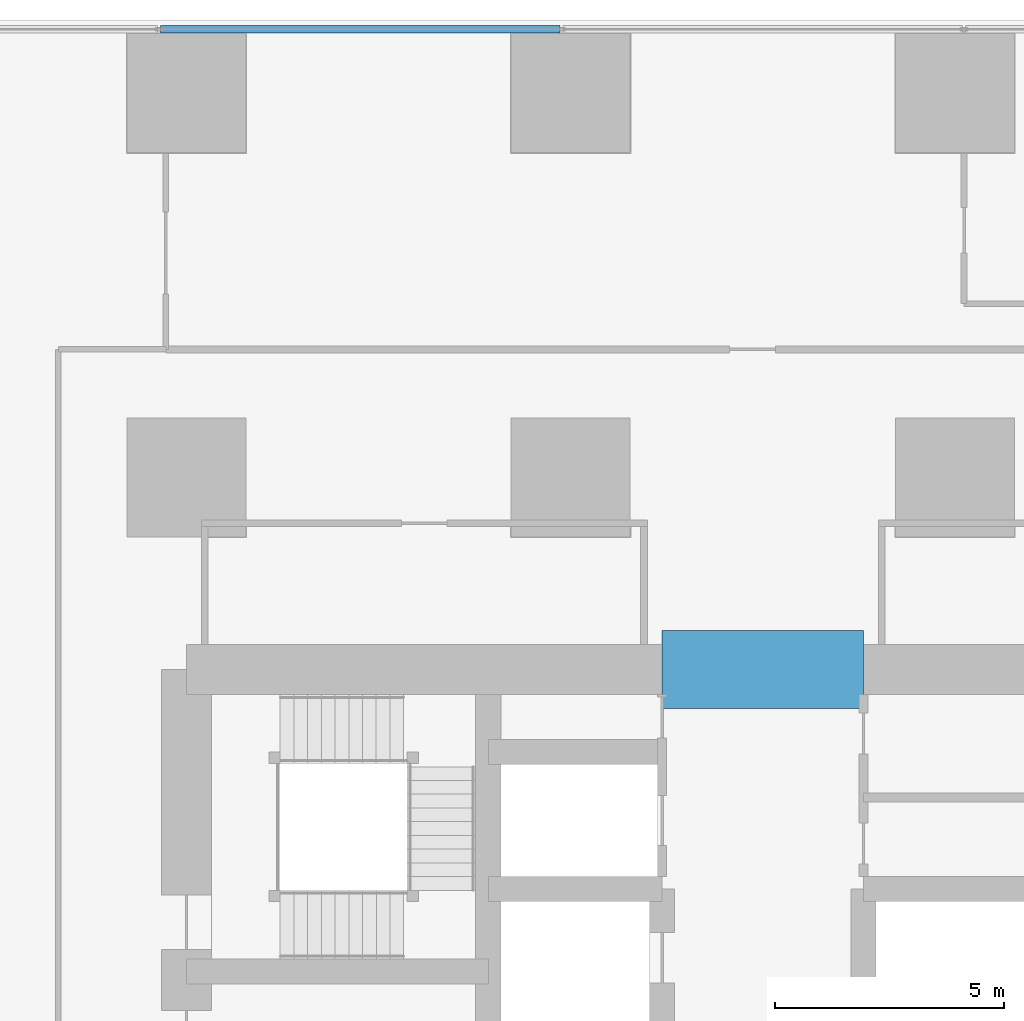
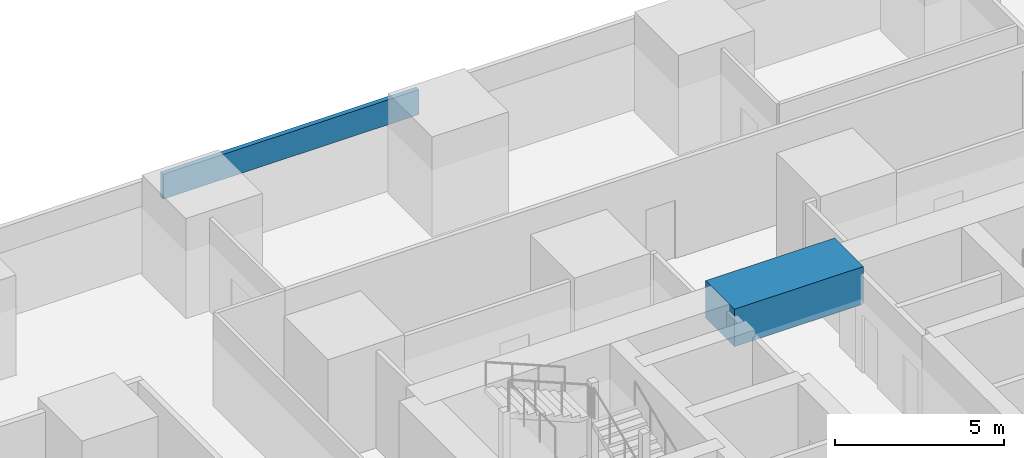
# One storey, part 10 of 35: 1 beam, 1 member, 1 element without a shape of its own.
"""IFC4 building model written with IfcOpenShell, lengths in metres."""

from ifc_helpers import new_model, si_unit, direction, frame, origin, origin_2d, place, context, subcontext, project, spatial, rectangle, hollow_rectangle, extrude, material, material_profile, profile_set, type_object, element, aggregate, save


model = new_model("IFC4")

# Units and contexts
model_context = context("Model", 3, precision=1e-05, world=origin(), true_north=direction((0.0, 1.0)))
body_context = subcontext(model_context, "Body", "Model", "MODEL_VIEW")
ifc_project = project(units=[si_unit("LENGTHUNIT", "METRE"), si_unit("AREAUNIT", "SQUARE_METRE"), si_unit("VOLUMEUNIT", "CUBIC_METRE"), si_unit("PLANEANGLEUNIT", "RADIAN"), si_unit("MASSUNIT", "GRAM", prefix="KILO")], contexts=[model_context])

# Site, building, storey
site_placement = place(None, origin())
site = spatial("IfcSite", under=ifc_project, at=site_placement, CompositionType="ELEMENT")
building_placement = place(site_placement, origin())
building = spatial("IfcBuilding", under=site, at=building_placement, Name="Rekha Terrace Tower", CompositionType="ELEMENT")
storey_placement = place(building_placement, frame((0.0, 0.0, 25.39990234375)))
storey = spatial("IfcBuildingStorey", under=building, at=storey_placement, Name="L05", CompositionType="ELEMENT", Elevation=25.39990234375)

# Curtain wall, member
ifc_material_1 = material(Name="Aluminium framing", Category="aluminium")
curtain_wall_type = type_object("IfcCurtainWallType", Name="CW3 north unitised glazing", PredefinedType="USERDEFINED", material=ifc_material_1)
curtain_wall_placement = place(storey_placement, origin())
curtain_wall = element("IfcCurtainWall", 1, at=curtain_wall_placement, inside=storey, type_object=curtain_wall_type, Name="CW3 unitised curtain wall", ObjectType="UNITISED CURTAIN WALL", PredefinedType="USERDEFINED")
ifc_material_2 = material(Name="Insulated aluminium spandrel box", Category="aluminium")
ifc_material_profile_1 = material_profile(ifc_material_2, hollow_rectangle(XDim=0.159912109375, YDim=0.89990234375, WallThickness=0.0029296875, at=origin_2d()), Name="AL SPANDREL BOX 160x900")
ifc_profile_set_1 = profile_set([ifc_material_profile_1], Name="Insulated aluminium spandrel box")
member_type = type_object("IfcMemberType", Name="CW3 spandrel transom 160 x 900", PredefinedType="USERDEFINED", material=ifc_profile_set_1)
member_placement = place(storey_placement, frame((33.364990234375, 60.199951171875, 3.050048828125), z_axis=(-1.0, 0.0, 0.0), x_axis=(0.0, -1.0, 0.0)))
member = element("IfcMember", 2, at=member_placement, type_object=member_type, Name="CW3 spandrel transom 5", ObjectType="TRANSOM", PredefinedType="USERDEFINED", context=body_context, shape_type="SweptSolid", body=[
    extrude(hollow_rectangle(XDim=0.159912109375, YDim=0.89990234375, WallThickness=0.0029296875, at=origin_2d()), origin(), (0.0, 0.0, 1.0), 8.72998046875),
])
aggregate(curtain_wall, [member])

# Beam
ifc_material_3 = material(Name="Concrete M70", Category="concrete")
ifc_material_profile_2 = material_profile(ifc_material_3, rectangle(XDim=1.699951171875, YDim=1.35009765625, at=origin_2d()), Name="RC 1700x1350")
ifc_profile_set_2 = profile_set([ifc_material_profile_2], Name="Concrete M70")
beam_type = type_object("IfcBeamType", Name="LB1A 1700x1350 diagonally reinforced coupling beam", PredefinedType="LINTEL", material=ifc_profile_set_2)
beam_placement = place(storey_placement, frame((35.60009765625, 46.199951171875, 3.0751953125), z_axis=(1.0, 0.0, 0.0), x_axis=(0.0, 1.0, 0.0)))
element("IfcBeam", 3, at=beam_placement, inside=storey, type_object=beam_type, Name="Coupling beam LB1A N L05", PredefinedType="LINTEL", context=body_context, shape_type="SweptSolid", body=[
    extrude(rectangle(XDim=1.699951171875, YDim=1.35009765625, at=origin_2d()), origin(), (0.0, 0.0, 1.0), 4.39990234375),
])

save(model, "model.ifc")
